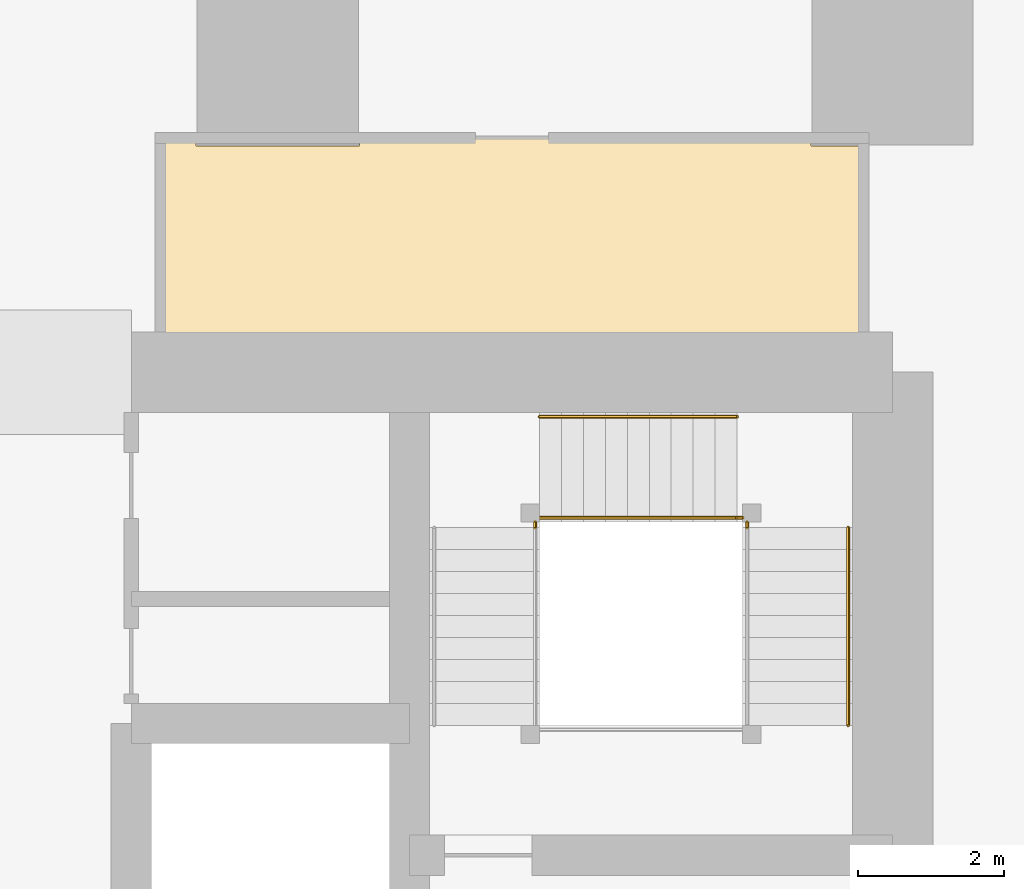
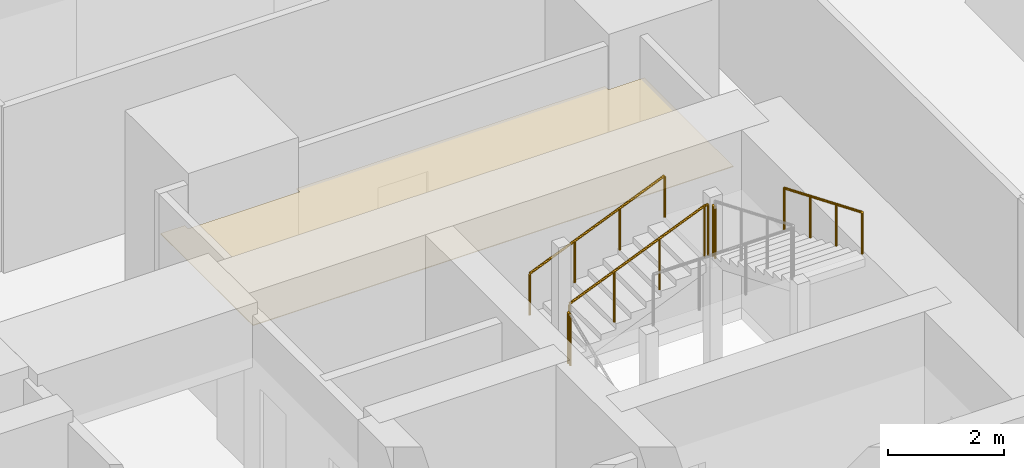
# One storey, part 43 of 44: 6 railings, 1 covering.
"""IFC4 building model written with IfcOpenShell, lengths in metres."""

import ifcopenshell
import ifcopenshell.guid

model = None  # the IFC model being written
_history = None  # IfcOwnerHistory: only IFC2X3 demands one
_inside = {}  # id of a spatial element -> (the spatial element, [elements in it])
_under = {}  # id of a project, library or spatial element -> (it, [spatial elements below it])
_declared = {}  # id of a project -> (the project, [libraries it declares])
_typed = {}  # id of a type object -> (the type object, [elements of that type])
_made_of = {}  # id of a material, layer set ... -> (it, [elements and type objects made of it])


def new_model(schema):
    """Start an empty IFC model of exactly this schema.

    Asked for "IFC4X3", IfcOpenShell would pick the latest addendum, in which some entities
    have other attributes; the version numbers below select the first issue.
    IFC2X3 requires an IfcOwnerHistory on every rooted entity: one is made here for all.
    """
    global model, _history
    if schema == "IFC4X3":
        model = ifcopenshell.file(schema_version=(4, 3, 0, 0))
    else:
        model = ifcopenshell.file(schema=schema)
    _inside.clear()
    _under.clear()
    _declared.clear()
    _typed.clear()
    _made_of.clear()
    _history = None
    if model.schema == "IFC2X3":
        org = make("IfcOrganization", Name="unknown")
        user = make(
            "IfcPersonAndOrganization",
            ThePerson=make("IfcPerson", FamilyName="unknown"),
            TheOrganization=org,
        )
        app = make(
            "IfcApplication",
            ApplicationDeveloper=org,
            Version="unknown",
            ApplicationFullName="unknown",
            ApplicationIdentifier="unknown",
        )
        _history = make(
            "IfcOwnerHistory",
            OwningUser=user,
            OwningApplication=app,
            ChangeAction="ADDED",
            CreationDate=0,
        )
    return model


def make(cls, **values):
    """One entity of the class cls with the attributes given. An attribute that is None is left unset."""
    return model.create_entity(
        cls, **{name: value for name, value in values.items() if value is not None}
    )


def rooted(cls, **values):
    """An entity with a GlobalId (a new one), such as an element, a storey or a relation."""
    return make(cls, GlobalId=ifcopenshell.guid.new(), OwnerHistory=_history, **values)


def si_unit(unit_type, name, prefix=None):
    """IfcSIUnit, for example si_unit("LENGTHUNIT", "METRE", prefix="MILLI")."""
    return make("IfcSIUnit", UnitType=unit_type, Prefix=prefix, Name=name)


def assignment(units):
    """IfcUnitAssignment: the units of a project."""
    return None if units is None else make("IfcUnitAssignment", Units=units)


def point(xyz):
    """IfcCartesianPoint."""
    return None if xyz is None else make("IfcCartesianPoint", Coordinates=xyz)


def direction(xyz):
    """IfcDirection."""
    return None if xyz is None else make("IfcDirection", DirectionRatios=xyz)


def frame(location, z_axis=None, x_axis=None):
    """IfcAxis2Placement3D, a coordinate frame: its origin and axes. An axis left out is left unset."""
    return make(
        "IfcAxis2Placement3D",
        Location=point(location),
        Axis=direction(z_axis),
        RefDirection=direction(x_axis),
    )


def frame_2d(location, x_axis=None):
    """IfcAxis2Placement2D, a coordinate frame in the plane: its origin and x axis."""
    return make(
        "IfcAxis2Placement2D", Location=point(location), RefDirection=direction(x_axis)
    )


def origin():
    """The frame at (0, 0, 0) with its axes left unset."""
    return frame((0.0, 0.0, 0.0))


def origin_2d():
    """The frame at (0, 0) in the plane with its x axis left unset."""
    return frame_2d((0.0, 0.0))


def place(relative_to, where):
    """IfcLocalPlacement: puts the frame where relative to a parent placement (None: the world)."""
    return make(
        "IfcLocalPlacement", PlacementRelTo=relative_to, RelativePlacement=where
    )


def context(
    kind, dimensions, precision=None, world=None, true_north=None, identifier=None
):
    """IfcGeometricRepresentationContext, for example the 3D "Model" context."""
    return make(
        "IfcGeometricRepresentationContext",
        ContextIdentifier=identifier,
        ContextType=kind,
        CoordinateSpaceDimension=dimensions,
        Precision=precision,
        WorldCoordinateSystem=world,
        TrueNorth=true_north,
    )


def subcontext(parent, identifier, kind, view, scale=None):
    """IfcGeometricRepresentationSubContext, for example "Body" below "Model"."""
    return make(
        "IfcGeometricRepresentationSubContext",
        ContextIdentifier=identifier,
        ContextType=kind,
        ParentContext=parent,
        TargetScale=scale,
        TargetView=view,
    )


def project(units=None, contexts=None):
    """IfcProject with its units and contexts."""
    return rooted(
        "IfcProject",
        Name="project",
        RepresentationContexts=contexts,
        UnitsInContext=assignment(units),
    )


def spatial(cls, under=None, at=None, **own):
    """A site, building, storey or space (cls), placed at a placement, below another one or the project."""
    s = rooted(cls, ObjectPlacement=at, **own)
    if under is not None:
        _under.setdefault(under.id(), (under, []))[1].append(s)
    return s


def polyline(points):
    """IfcPolyline through the points."""
    return make("IfcPolyline", Points=[point(p) for p in points])


def profile(cls, at=None, kind="AREA", **sizes):
    """A parametric profile (cls). Its sizes go by their IFC names, for example OverallWidth=200.0."""
    return make(cls, ProfileType=kind, Position=at, **sizes)


def circle(**sizes):
    """IfcCircleProfileDef."""
    return profile("IfcCircleProfileDef", **sizes)


def outline(outer, holes=None, kind="AREA"):
    """IfcArbitraryClosedProfileDef: a profile drawn as a closed curve; with holes, ...WithVoids."""
    if holes is None:
        return make("IfcArbitraryClosedProfileDef", ProfileType=kind, OuterCurve=outer)
    return make(
        "IfcArbitraryProfileDefWithVoids",
        ProfileType=kind,
        OuterCurve=outer,
        InnerCurves=holes,
    )


def extrude(swept, where, along, depth):
    """IfcExtrudedAreaSolid: the profile swept, set in the frame where, extruded along a direction by depth."""
    return make(
        "IfcExtrudedAreaSolid",
        SweptArea=swept,
        Position=where,
        ExtrudedDirection=direction(along),
        Depth=depth,
    )


def shape(context_of_items, identifier, shape_type, items):
    """IfcShapeRepresentation: the items that make up one representation, for example the "Body"."""
    return make(
        "IfcShapeRepresentation",
        ContextOfItems=context_of_items,
        RepresentationIdentifier=identifier,
        RepresentationType=shape_type,
        Items=items,
    )


def material(Name=None, Category=None):
    """IfcMaterial."""
    return make("IfcMaterial", Name=Name, Category=Category)


def layer(
    of_material, thickness, ventilated=None, Name=None, Category=None, Priority=None
):
    """IfcMaterialLayer: one layer of a wall or slab, of a material (None: an air gap)."""
    return make(
        "IfcMaterialLayer",
        Material=of_material,
        LayerThickness=thickness,
        IsVentilated=ventilated,
        Name=Name,
        Category=Category,
        Priority=Priority,
    )


def layer_set(layers, Name=None):
    """IfcMaterialLayerSet."""
    return make("IfcMaterialLayerSet", MaterialLayers=layers, LayerSetName=Name)


def made_of(thing, what):
    """Note that an element or type object is made of a material, layer set ...; save() writes the relation."""
    if what is not None:
        _made_of.setdefault(what.id(), (what, []))[1].append(thing)
    return thing


def type_object(cls, material=None, **own):
    """A type object (cls), such as IfcWallType, which elements share."""
    return made_of(rooted(cls, **own), material)


def element(
    cls,
    number,
    at=None,
    inside=None,
    cuts=None,
    type_object=None,
    material=None,
    context=None,
    identifier="Body",
    shape_type=None,
    held_by="IfcProductDefinitionShape",
    body=None,
    shapes=None,
    **own,
):
    """One element of the class cls, such as IfcWall. Its Tag is "e" and its number.

    at: its placement. inside: the storey or other place that contains it. cuts: it is an
    opening in that element (IfcRelVoidsElement). A single representation is given by context,
    identifier, shape_type and body (its items); several are given by shapes. held_by: the class
    of the entity that holds the representations. save() writes the other relations.
    """
    e = rooted(cls, Tag="e%d" % number, ObjectPlacement=at, **own)
    if body is not None:
        shapes = [shape(context, identifier, shape_type, body)]
    if shapes is not None:
        e.Representation = make(held_by, Representations=shapes)
    if inside is not None:
        _inside.setdefault(inside.id(), (inside, []))[1].append(e)
    if cuts is not None:
        rooted(
            "IfcRelVoidsElement", RelatingBuildingElement=cuts, RelatedOpeningElement=e
        )
    if type_object is not None:
        _typed.setdefault(type_object.id(), (type_object, []))[1].append(e)
    return made_of(e, material)


def aggregate(whole, parts):
    """IfcRelAggregates: a whole, such as a stair, and the parts it consists of."""
    return rooted("IfcRelAggregates", RelatingObject=whole, RelatedObjects=parts)


def save(model, path):
    """Write the relations noted so far, then the file.

    IfcRelAggregates (storeys below a building ...), IfcRelContainedInSpatialStructure (elements
    in a storey), IfcRelDefinesByType, IfcRelAssociatesMaterial and IfcRelDeclares: one each for
    every whole, place, type object, material and project.
    """
    for whole, parts in _under.values():
        aggregate(whole, parts)
    for where, things in _inside.values():
        rooted(
            "IfcRelContainedInSpatialStructure",
            RelatedElements=things,
            RelatingStructure=where,
        )
    for kind, things in _typed.values():
        rooted("IfcRelDefinesByType", RelatedObjects=things, RelatingType=kind)
    for what, things in _made_of.values():
        rooted("IfcRelAssociatesMaterial", RelatedObjects=things, RelatingMaterial=what)
    for by, libraries in _declared.values():
        rooted("IfcRelDeclares", RelatingContext=by, RelatedDefinitions=libraries)
    model.write(path)


model = new_model("IFC4")

# Units and contexts
model_context = context("Model", 3, precision=1e-05, world=origin(), true_north=direction((0.0, 1.0)))
body_context = subcontext(model_context, "Body", "Model", "MODEL_VIEW")
ifc_project = project(units=[si_unit("LENGTHUNIT", "METRE"), si_unit("AREAUNIT", "SQUARE_METRE"), si_unit("VOLUMEUNIT", "CUBIC_METRE"), si_unit("PLANEANGLEUNIT", "RADIAN"), si_unit("MASSUNIT", "GRAM", prefix="KILO")], contexts=[model_context])

# Site, building, storey
site_placement = place(None, origin())
site = spatial("IfcSite", under=ifc_project, at=site_placement, CompositionType="ELEMENT")
building_placement = place(site_placement, origin())
building = spatial("IfcBuilding", under=site, at=building_placement, Name="Rekha Terrace Tower", CompositionType="ELEMENT")
storey_placement = place(building_placement, frame((0.0, 0.0, 62.89990234375)))
storey = spatial("IfcBuildingStorey", under=building, at=storey_placement, Name="L15", CompositionType="ELEMENT", Elevation=62.89990234375)

# Covering
ifc_material_1 = material(Name="Fibre cement board", Category="finish")
ifc_layer = layer(ifc_material_1, 0.014892578125)
ifc_layer_set = layer_set([ifc_layer], Name="Fibre cement board")
covering_type = type_object("IfcCoveringType", Name="CL2 moisture-resistant board ceiling", PredefinedType="CEILING", material=ifc_layer_set)
covering_placement = place(storey_placement, frame((0.0, 0.0, 2.585205078125)))
element("IfcCovering", 1, at=covering_placement, inside=storey, type_object=covering_type, Name="Ceiling L15-WCF", PredefinedType="CEILING", context=body_context, shape_type="SweptSolid", body=[
    extrude(outline(polyline([(40.885009765625, 49.39990234375), (40.39990234375, 49.39990234375), (40.39990234375, 46.199951171875), (50.0, 46.199951171875), (50.0, 49.284912109375), (49.284912109375, 49.284912109375), (49.284912109375, 49.39990234375), (43.114990234375, 49.39990234375), (43.114990234375, 49.284912109375), (40.885009765625, 49.284912109375), (40.885009765625, 49.39990234375)])), origin(), (0.0, 0.0, 1.0), 0.014892578125),
])

# Railings
ifc_material_2 = material(Name="Stainless steel balustrade", Category="steel")
railing_type_1 = type_object("IfcRailingType", Name="GR1 1100 stair guard", PredefinedType="GUARDRAIL", material=ifc_material_2)
railing_1_placement = place(storey_placement, frame((45.574951171875, 44.2099609375, 1.375)))
element("IfcRailing", 2, at=railing_1_placement, inside=storey, type_object=railing_type_1, Name="Guard ST2 L15 flight 2", PredefinedType="GUARDRAIL", context=body_context, shape_type="SweptSolid", body=[
    extrude(circle(Radius=0.02392578125, at=origin_2d()), frame((0.0, 0.0, 1.076171875), z_axis=(0.923074453586, 0.0, 0.384621311341), x_axis=(0.0, 1.0, 0.0)), (0.0, 0.0, 1.0), 2.925048828125),
    extrude(circle(Radius=0.02099609375, at=origin_2d()), origin(), (0.0, 0.0, 1.0), 1.052001953125),
    extrude(circle(Radius=0.02099609375, at=origin_2d()), frame((0.89990234375, 0.0, 0.375)), (0.0, 0.0, 1.0), 1.052001953125),
    extrude(circle(Radius=0.02099609375, at=origin_2d()), frame((1.800048828125, 0.0, 0.75)), (0.0, 0.0, 1.0), 1.052001953125),
    extrude(circle(Radius=0.02099609375, at=origin_2d()), frame((2.699951171875, 0.0, 1.125)), (0.0, 0.0, 1.0), 1.052001953125),
])
railing_2_placement = place(storey_placement, frame((45.514892578125, 44.074951171875, 1.25)))
element("IfcRailing", 3, at=railing_2_placement, inside=storey, type_object=railing_type_1, Name="Guard ST2 L15 landing 1", PredefinedType="GUARDRAIL", context=body_context, shape_type="SweptSolid", body=[
    extrude(circle(Radius=0.02392578125, at=origin_2d()), frame((0.0, 0.0, 1.076171875), z_axis=(0.0, 1.0, 0.0), x_axis=(-1.0, 0.0, 0.0)), (0.0, 0.0, 1.0), 0.074951171875),
    extrude(circle(Radius=0.02099609375, at=origin_2d()), origin(), (0.0, 0.0, 1.0), 1.052001953125),
    extrude(circle(Radius=0.02099609375, at=origin_2d()), frame((0.0, 0.074951171875, 0.0)), (0.0, 0.0, 1.0), 1.052001953125),
])
railing_3_placement = place(storey_placement, frame((48.27490234375, 44.2099609375, 2.5)))
element("IfcRailing", 4, at=railing_3_placement, inside=storey, type_object=railing_type_1, Name="Guard ST2 L15 landing 2", PredefinedType="GUARDRAIL", context=body_context, shape_type="SweptSolid", body=[
    extrude(circle(Radius=0.02392578125, at=origin_2d()), frame((0.0, 0.0, 1.076171875), z_axis=(1.0, 0.0, 0.0), x_axis=(0.0, 1.0, 0.0)), (0.0, 0.0, 1.0), 0.0751953125),
    extrude(circle(Radius=0.02099609375, at=origin_2d()), origin(), (0.0, 0.0, 1.0), 1.052001953125),
    extrude(circle(Radius=0.02099609375, at=origin_2d()), frame((0.0751953125, 0.0, 0.0)), (0.0, 0.0, 1.0), 1.052001953125),
])
railing_4_placement = place(storey_placement, frame((48.409912109375, 44.074951171875, 2.5)))
element("IfcRailing", 5, at=railing_4_placement, inside=storey, type_object=railing_type_1, Name="Guard ST2 L15 landing 3", PredefinedType="GUARDRAIL", context=body_context, shape_type="SweptSolid", body=[
    extrude(circle(Radius=0.02392578125, at=origin_2d()), frame((0.0, 0.0, 1.076171875), z_axis=(0.0, 1.0, 0.0), x_axis=(-1.0, 0.0, 0.0)), (0.0, 0.0, 1.0), 0.074951171875),
    extrude(circle(Radius=0.02099609375, at=origin_2d()), origin(), (0.0, 0.0, 1.0), 1.052001953125),
    extrude(circle(Radius=0.02099609375, at=origin_2d()), frame((0.0, 0.074951171875, 0.0)), (0.0, 0.0, 1.0), 1.052001953125),
])
ifc_material_3 = material(Name="Stainless steel tube", Category="steel")
railing_type_2 = type_object("IfcRailingType", Name="HR1 900 stair handrail", PredefinedType="HANDRAIL", material=ifc_material_3)
railing_5_placement = place(storey_placement, frame((45.574951171875, 45.590087890625, 1.375)))
element("IfcRailing", 6, at=railing_5_placement, inside=storey, type_object=railing_type_2, Name="Handrail ST2 L15 flight 2", PredefinedType="HANDRAIL", context=body_context, shape_type="SweptSolid", body=[
    extrude(circle(Radius=0.02392578125, at=origin_2d()), frame((0.0, 0.0, 0.8759765625), z_axis=(0.923074453586, 0.0, 0.384621311341), x_axis=(0.0, 1.0, 0.0)), (0.0, 0.0, 1.0), 2.925048828125),
    extrude(circle(Radius=0.02099609375, at=origin_2d()), origin(), (0.0, 0.0, 1.0), 0.851806640625),
    extrude(circle(Radius=0.02099609375, at=origin_2d()), frame((0.89990234375, 0.0, 0.375)), (0.0, 0.0, 1.0), 0.851806640625),
    extrude(circle(Radius=0.02099609375, at=origin_2d()), frame((1.800048828125, 0.0, 0.75)), (0.0, 0.0, 1.0), 0.851806640625),
    extrude(circle(Radius=0.02099609375, at=origin_2d()), frame((2.699951171875, 0.0, 1.125)), (0.0, 0.0, 1.0), 0.851806640625),
])
railing_6_placement = place(storey_placement, frame((49.7900390625, 44.074951171875, 2.625)))
element("IfcRailing", 7, at=railing_6_placement, inside=storey, type_object=railing_type_2, Name="Handrail ST2 L15 flight 3", PredefinedType="HANDRAIL", context=body_context, shape_type="SweptSolid", body=[
    extrude(circle(Radius=0.02392578125, at=origin_2d()), frame((0.0, 0.0, 0.8759765625), z_axis=(0.0, -0.923074453586, 0.384621311341), x_axis=(1.0, 0.0, 0.0)), (0.0, 0.0, 1.0), 2.925048828125),
    extrude(circle(Radius=0.02099609375, at=origin_2d()), origin(), (0.0, 0.0, 1.0), 0.851806640625),
    extrude(circle(Radius=0.02099609375, at=origin_2d()), frame((0.0, -0.89990234375, 0.375)), (0.0, 0.0, 1.0), 0.851806640625),
    extrude(circle(Radius=0.02099609375, at=origin_2d()), frame((0.0, -1.800048828125, 0.75)), (0.0, 0.0, 1.0), 0.851806640625),
    extrude(circle(Radius=0.02099609375, at=origin_2d()), frame((0.0, -2.699951171875, 1.125)), (0.0, 0.0, 1.0), 0.851806640625),
])

save(model, "model.ifc")
